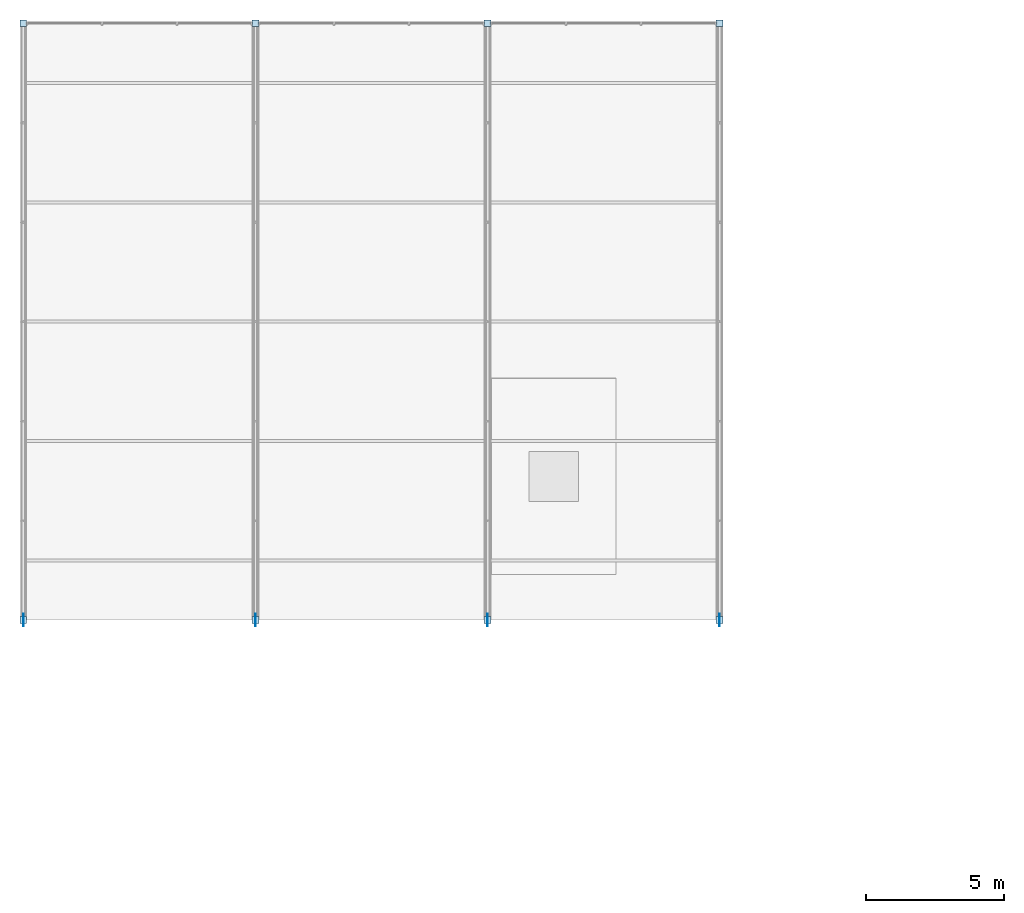
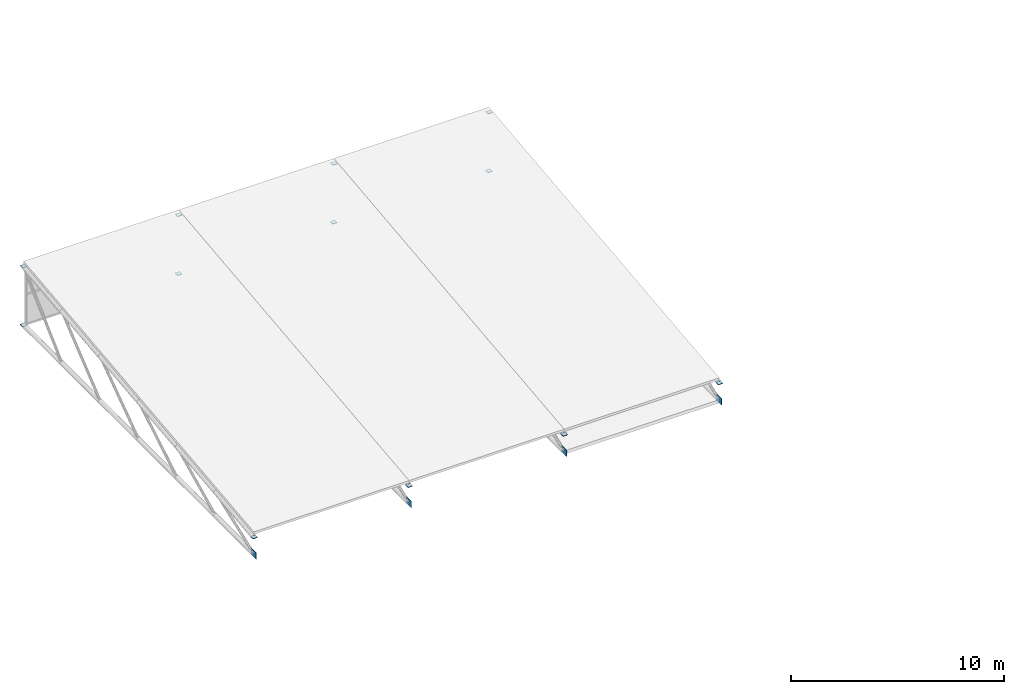
# One storey, part 73 of 77: 16 plates.
"""IFC4 building model written with IfcOpenShell, lengths in metres."""

from ifc_helpers import new_model, si_unit, derived_unit, direction, frame, origin, origin_2d, place, context, subcontext, project, spatial, rectangle, extrude, material, layer, layer_set, type_object, element, save


model = new_model("IFC4")

# Units and contexts
model_context = context("Model", 3, precision=1e-05, world=origin(), true_north=direction((0.0, 1.0)))
body_context = subcontext(model_context, "Body", "Model", "MODEL_VIEW")
ifc_project = project(units=[si_unit("LENGTHUNIT", "METRE"), si_unit("AREAUNIT", "SQUARE_METRE"), si_unit("VOLUMEUNIT", "CUBIC_METRE"), si_unit("PLANEANGLEUNIT", "RADIAN"), si_unit("MASSUNIT", "GRAM", prefix="KILO"), derived_unit("THERMALTRANSMITTANCEUNIT", [(si_unit("MASSUNIT", "GRAM", prefix="KILO"), 1), (si_unit("TIMEUNIT", "SECOND"), -3), (si_unit("THERMODYNAMICTEMPERATUREUNIT", "KELVIN"), -1)])], contexts=[model_context])

# Site, building, storey
site_placement = place(None, origin())
site = spatial("IfcSite", under=ifc_project, at=site_placement, CompositionType="ELEMENT")
building_placement = place(site_placement, origin())
building = spatial("IfcBuilding", under=site, at=building_placement, Name="Kharveza Railside Sports Centre", CompositionType="ELEMENT")
storey_placement = place(building_placement, frame((0.0, 0.0, 17.10009765625)))
storey = spatial("IfcBuildingStorey", under=building, at=storey_placement, Name="L04", CompositionType="ELEMENT", Elevation=17.10009765625)

# Plates
ifc_material = material(Name="Steel S355J2", Category="steel")
ifc_layer_1 = layer(ifc_material, 0.02001953125, Name="Steel S355J2")
ifc_layer_set_1 = layer_set([ifc_layer_1], Name="Steel S355J2")
plate_type_1 = type_object("IfcPlateType", Name="PL-EC07", PredefinedType="USERDEFINED", material=ifc_layer_set_1)
for number, where, z_axis, x_axis, name in (
    (1, (0.0, 86.39990234375, 0.949951171875), (0.0, 0.0, 1.0), (1.0, 0.0, 0.0), "PLT-EC-138"),
    (2, (0.0, 108.0, -0.010009765625), (0.0, 0.0, 1.0), (1.0, 0.0, 0.0), "PLT-EC-139"),
    (3, (0.0, 108.0, 3.349853515625), (0.0, 0.0, 1.0), (1.0, 0.0, 0.0), "PLT-EC-140"),
    (4, (8.39990234375, 86.39990234375, 0.949951171875), (0.0, 0.0, 1.0), (1.0, 0.0, 0.0), "PLT-EC-141"),
    (5, (8.39990234375, 108.0, -0.010009765625), (0.0, 0.0, 1.0), (1.0, 0.0, 0.0), "PLT-EC-142"),
    (6, (8.39990234375, 108.0, 3.349853515625), (0.0, 0.0, 1.0), (1.0, 0.0, 0.0), "PLT-EC-143"),
    (7, (16.800048828125, 86.39990234375, 0.949951171875), (0.0, 0.0, 1.0), (1.0, 0.0, 0.0), "PLT-EC-144"),
    (8, (16.800048828125, 108.0, -0.010009765625), (0.0, 0.0, 1.0), (1.0, 0.0, 0.0), "PLT-EC-145"),
    (9, (16.800048828125, 108.0, 3.349853515625), (0.0, 0.0, 1.0), (1.0, 0.0, 0.0), "PLT-EC-146"),
    (10, (25.199951171875, 86.39990234375, 0.949951171875), (0.0, 0.0, 1.0), (1.0, 0.0, 0.0), "PLT-EC-147"),
    (11, (25.199951171875, 108.0, -0.010009765625), (0.0, 0.0, 1.0), (1.0, 0.0, 0.0), "PLT-EC-148"),
    (12, (25.199951171875, 108.0, 3.349853515625), (0.0, 0.0, 1.0), (1.0, 0.0, 0.0), "PLT-EC-149"),
):
    element("IfcPlate", number, at=place(storey_placement, frame(where, z_axis=z_axis, x_axis=x_axis)), inside=storey, type_object=plate_type_1, Name=name, ObjectType="END_CAP_PLATE", PredefinedType="USERDEFINED", context=body_context, shape_type="SweptSolid", body=[
        extrude(rectangle(XDim=0.243896484375, YDim=0.243896484375, at=origin_2d()), origin(), (0.0, 0.0, 1.0), 0.02001953125),
    ])
ifc_layer_2 = layer(ifc_material, 0.02001953125, Name="Steel S355J2")
ifc_layer_set_2 = layer_set([ifc_layer_2], Name="Steel S355J2")
plate_type_2 = type_object("IfcPlateType", Name="PL-GS04", PredefinedType="USERDEFINED", material=ifc_layer_set_2)
for number, where, z_axis, x_axis, name in (
    (13, (0.0, 86.39990234375, -0.18017578125), (0.0, 0.0, 1.0), (1.0, 0.0, 0.0), "PLT-GS-V3-1"),
    (14, (8.39990234375, 86.39990234375, -0.18017578125), (0.0, 0.0, 1.0), (1.0, 0.0, 0.0), "PLT-GS-V3-2"),
    (15, (16.800048828125, 86.39990234375, -0.18017578125), (0.0, 0.0, 1.0), (1.0, 0.0, 0.0), "PLT-GS-V3-3"),
    (16, (25.199951171875, 86.39990234375, -0.18017578125), (0.0, 0.0, 1.0), (1.0, 0.0, 0.0), "PLT-GS-V3-4"),
):
    element("IfcPlate", number, at=place(storey_placement, frame(where, z_axis=z_axis, x_axis=x_axis)), inside=storey, type_object=plate_type_2, Name=name, ObjectType="GUSSET_PLATE", PredefinedType="USERDEFINED", context=body_context, shape_type="SweptSolid", body=[
        extrude(rectangle(XDim=0.02001953125, YDim=0.4599609375, at=origin_2d()), origin(), (0.0, 0.0, 1.0), 0.360107421875),
    ])

save(model, "model.ifc")
